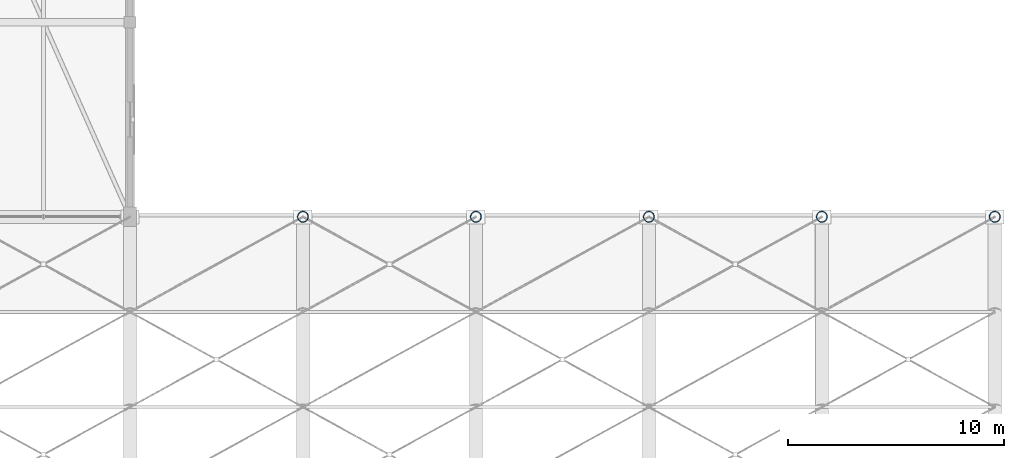
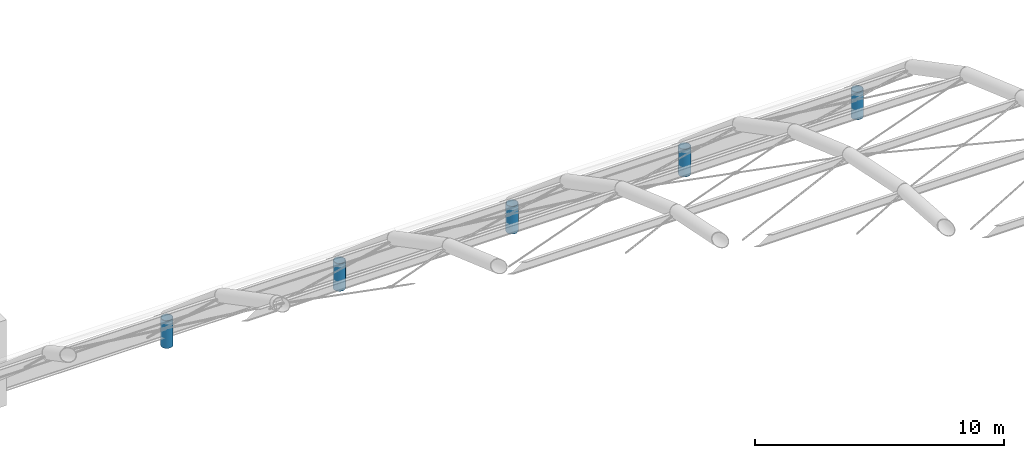
# One storey, part 7 of 126: 5 columns.
"""IFC4 building model written with IfcOpenShell, lengths in metres."""

from ifc_helpers import new_model, si_unit, direction, frame, origin, origin_2d, place, context, subcontext, project, spatial, hollow_circle, extrude, material, material_profile, profile_set, type_object, element, save


model = new_model("IFC4")

# Units and contexts
model_context = context("Model", 3, precision=1e-05, world=origin(), true_north=direction((0.0, 1.0)))
body_context = subcontext(model_context, "Body", "Model", "MODEL_VIEW")
ifc_project = project(units=[si_unit("LENGTHUNIT", "METRE"), si_unit("AREAUNIT", "SQUARE_METRE"), si_unit("VOLUMEUNIT", "CUBIC_METRE"), si_unit("PLANEANGLEUNIT", "RADIAN"), si_unit("MASSUNIT", "GRAM", prefix="KILO")], contexts=[model_context])

# Site, building, storey
site_placement = place(None, origin())
site = spatial("IfcSite", under=ifc_project, at=site_placement, CompositionType="ELEMENT")
building_placement = place(site_placement, origin())
building = spatial("IfcBuilding", under=site, at=building_placement, Name="Varnabhumi Central Station", CompositionType="ELEMENT")
storey_placement = place(building_placement, frame((0.0, 0.0, 16.199951171875)))
storey = spatial("IfcBuildingStorey", under=building, at=storey_placement, Name="L03", CompositionType="ELEMENT", Elevation=16.199951171875)

# Columns
ifc_material = material(Name="Structural steel E350", Category="steel")
ifc_material_profile = material_profile(ifc_material, hollow_circle(Radius=0.25390625, WallThickness=0.02001953125, at=origin_2d()), Name="Structural steel E350", Category="steel")
ifc_profile_set = profile_set([ifc_material_profile], Name="Structural steel E350")
column_type = type_object("IfcColumnType", Name="COL-MAST-CHS508", PredefinedType="COLUMN", material=ifc_profile_set)
for number, where, z_axis, x_axis, name in (
    (1, (152.0, 80.0, 0.0), (0.0, 0.0, 1.0), (1.0, 0.0, 0.0), "Vault Mast L03-20K"),
    (2, (160.0, 80.0, 0.0), (0.0, 0.0, 1.0), (1.0, 0.0, 0.0), "Vault Mast L03-21K"),
    (3, (168.0, 80.0, 0.0), (0.0, 0.0, 1.0), (1.0, 0.0, 0.0), "Vault Mast L03-22K"),
    (4, (176.0, 80.0, 0.0), (0.0, 0.0, 1.0), (1.0, 0.0, 0.0), "Vault Mast L03-23K"),
    (5, (184.0, 80.0, 0.0), (0.0, 0.0, 1.0), (1.0, 0.0, 0.0), "Vault Mast L03-24K"),
):
    element("IfcColumn", number, at=place(storey_placement, frame(where, z_axis=z_axis, x_axis=x_axis)), inside=storey, type_object=column_type, Name=name, PredefinedType="COLUMN", context=body_context, shape_type="SweptSolid", body=[
        extrude(hollow_circle(Radius=0.25390625, WallThickness=0.02001953125, at=origin_2d()), origin(), (0.0, 0.0, 1.0), 1.35009765625),
    ])

save(model, "model.ifc")
